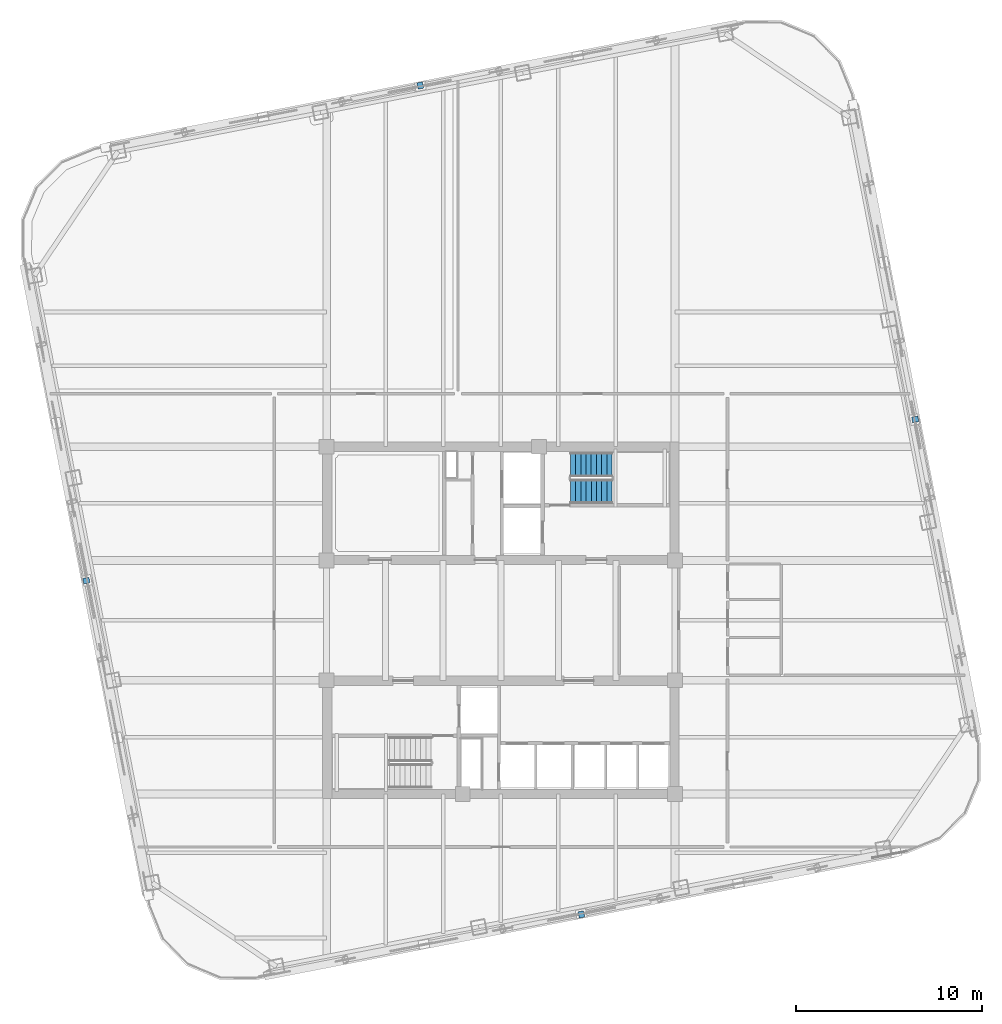
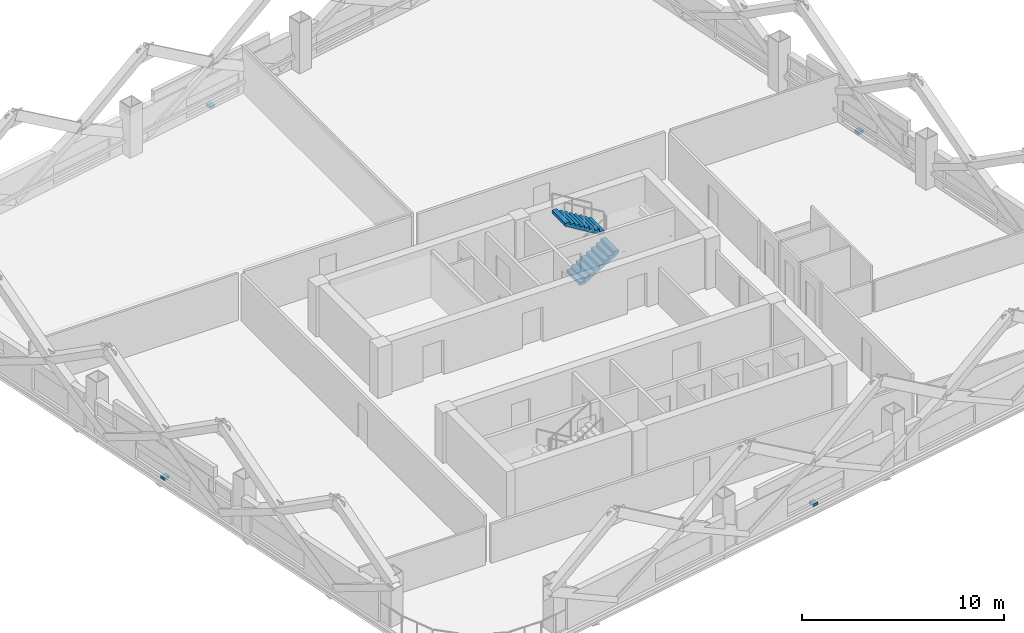
# One storey, part 7 of 10: 4 discrete accessories, 2 stair flights, 1 element without a shape of its own.
"""IFC4 building model written with IfcOpenShell, lengths in metres."""

from ifc_helpers import new_model, si_unit, direction, frame, origin, origin_2d, place, context, subcontext, project, spatial, polyline, rectangle, outline, extrude, material, type_object, element, aggregate, save


model = new_model("IFC4")

# Units and contexts
model_context = context("Model", 3, precision=1e-05, world=origin(), true_north=direction((0.0, 1.0)))
body_context = subcontext(model_context, "Body", "Model", "MODEL_VIEW")
ifc_project = project(units=[si_unit("LENGTHUNIT", "METRE"), si_unit("AREAUNIT", "SQUARE_METRE"), si_unit("VOLUMEUNIT", "CUBIC_METRE"), si_unit("PLANEANGLEUNIT", "RADIAN"), si_unit("MASSUNIT", "GRAM", prefix="KILO")], contexts=[model_context])

# Site, building, storey
site_placement = place(None, origin())
site = spatial("IfcSite", under=ifc_project, at=site_placement, CompositionType="ELEMENT")
building_placement = place(site_placement, origin())
building = spatial("IfcBuilding", under=site, at=building_placement, Name="Qhalaya Broadcast Tower", CompositionType="ELEMENT")
storey_placement = place(building_placement, frame((0.0, 0.0, 118.89990234375)))
storey = spatial("IfcBuildingStorey", under=building, at=storey_placement, Name="L34", CompositionType="ELEMENT", Elevation=118.89990234375)

# Stair, stair flights
ifc_material_1 = material(Name="Concrete C40/50", Category="concrete")
stair_type = type_object("IfcStairType", Name="Protected Dogleg Core Stair 3150", PredefinedType="TWO_STRAIGHT_RUN_STAIR", material=ifc_material_1)
stair_placement = place(storey_placement, origin())
stair = element("IfcStair", 1, at=stair_placement, inside=storey, type_object=stair_type, Name="L34 North Core Exit Stair ST-1", PredefinedType="TWO_STRAIGHT_RUN_STAIR")
ifc_material_2 = material(Name="Precast Concrete C40/50", Category="concrete")
stair_flight_type = type_object("IfcStairFlightType", Name="Precast Concrete Stair Flight 3150", PredefinedType="STRAIGHT", material=ifc_material_2)
stair_flight_1_placement = place(storey_placement, frame((3.75, 7.5400390625, 0.0), z_axis=(0.0, 0.0, 1.0), x_axis=(1.0, 0.0, 0.0)))
stair_flight_1 = element("IfcStairFlight", 2, at=stair_flight_1_placement, type_object=stair_flight_type, Name="ST-1 flight 1", NumberOfRisers=9, NumberOfTreads=8, PredefinedType="STRAIGHT", RiserHeight=0.169444444, TreadLength=0.28, context=body_context, shape_type="SweptSolid", body=[
    extrude(outline(polyline([(0.0, 0.0), (0.0, 0.16943359375), (0.280029296875, 0.16943359375), (0.280029296875, 0.3388671875), (0.56005859375, 0.3388671875), (0.56005859375, 0.50830078125), (0.840087890625, 0.50830078125), (0.840087890625, 0.677734375), (1.1201171875, 0.677734375), (1.1201171875, 0.84716796875), (1.39990234375, 0.84716796875), (1.39990234375, 1.0166015625), (1.679931640625, 1.0166015625), (1.679931640625, 1.18603515625), (1.9599609375, 1.18603515625), (1.9599609375, 1.35546875), (2.239990234375, 1.35546875), (2.239990234375, 1.52490234375), (2.239990234375, 1.180419921875), (0.28955078125, 0.0), (0.0, 0.0)])), frame((0.0, 0.66015625, 0.0), z_axis=(0.0, -1.0, 0.0), x_axis=(1.0, 0.0, 0.0)), (0.0, 0.0, 1.0), 1.320068359375),
])
stair_flight_2_placement = place(storey_placement, frame((5.989990234375, 8.97998046875, 1.525146484375), z_axis=(0.0, 0.0, 1.0), x_axis=(-1.0, 0.0, 0.0)))
stair_flight_2 = element("IfcStairFlight", 3, at=stair_flight_2_placement, type_object=stair_flight_type, Name="ST-1 flight 2", NumberOfRisers=9, NumberOfTreads=8, PredefinedType="STRAIGHT", RiserHeight=0.169444444, TreadLength=0.28, context=body_context, shape_type="SweptSolid", body=[
    extrude(outline(polyline([(0.0, 0.0), (0.0, 0.16943359375), (0.280029296875, 0.16943359375), (0.280029296875, 0.3388671875), (0.56005859375, 0.3388671875), (0.56005859375, 0.50830078125), (0.840087890625, 0.50830078125), (0.840087890625, 0.677734375), (1.1201171875, 0.677734375), (1.1201171875, 0.84716796875), (1.39990234375, 0.84716796875), (1.39990234375, 1.0166015625), (1.679931640625, 1.0166015625), (1.679931640625, 1.18603515625), (1.9599609375, 1.18603515625), (1.9599609375, 1.35546875), (2.239990234375, 1.35546875), (2.239990234375, 1.52490234375), (2.239990234375, 1.180419921875), (0.28955078125, 0.0), (0.0, 0.0)])), frame((0.0, 0.66015625, 0.0), z_axis=(0.0, -1.0, 0.0), x_axis=(1.0, 0.0, 0.0)), (0.0, 0.0, 1.0), 1.320068359375),
])
aggregate(stair, [stair_flight_1, stair_flight_2])

# Discrete accessories
ifc_material_3 = material(Name="Structural Steel ASTM A572 Grade 50", Category="steel")
discrete_accessory_type = type_object("IfcDiscreteAccessoryType", Name="Facade Baguette Support Bracket BRK-01", PredefinedType="BRACKET", material=ifc_material_3)
for number, where, z_axis, x_axis, name in (
    (4, (4.337158203125, -15.232421875, 0.0), (0.0, 0.0, 1.0), (0.981627183448, 0.190808995377, 0.0), "L34 Baguette Support Bracket S"),
    (5, (22.3125, 11.4169921875, 0.0), (0.0, 0.0, 1.0), (-0.190808995377, 0.981627183448, 0.0), "L34 Baguette Support Bracket E"),
    (6, (-4.337158203125, 29.392333984375, 0.0), (0.0, 0.0, 1.0), (-0.981627183448, -0.190808995377, 0.0), "L34 Baguette Support Bracket N"),
    (7, (-22.3125, 2.742919921875, 0.0), (0.0, 0.0, 1.0), (0.190808995377, -0.981627183448, 0.0), "L34 Baguette Support Bracket W"),
):
    element("IfcDiscreteAccessory", number, at=place(storey_placement, frame(where, z_axis=z_axis, x_axis=x_axis)), inside=storey, type_object=discrete_accessory_type, Name=name, PredefinedType="BRACKET", context=body_context, shape_type="SweptSolid", body=[
        extrude(rectangle(XDim=0.300048828125, YDim=0.340087890625, at=origin_2d()), origin(), (0.0, 0.0, 1.0), 0.159912109375),
    ])

save(model, "model.ifc")
